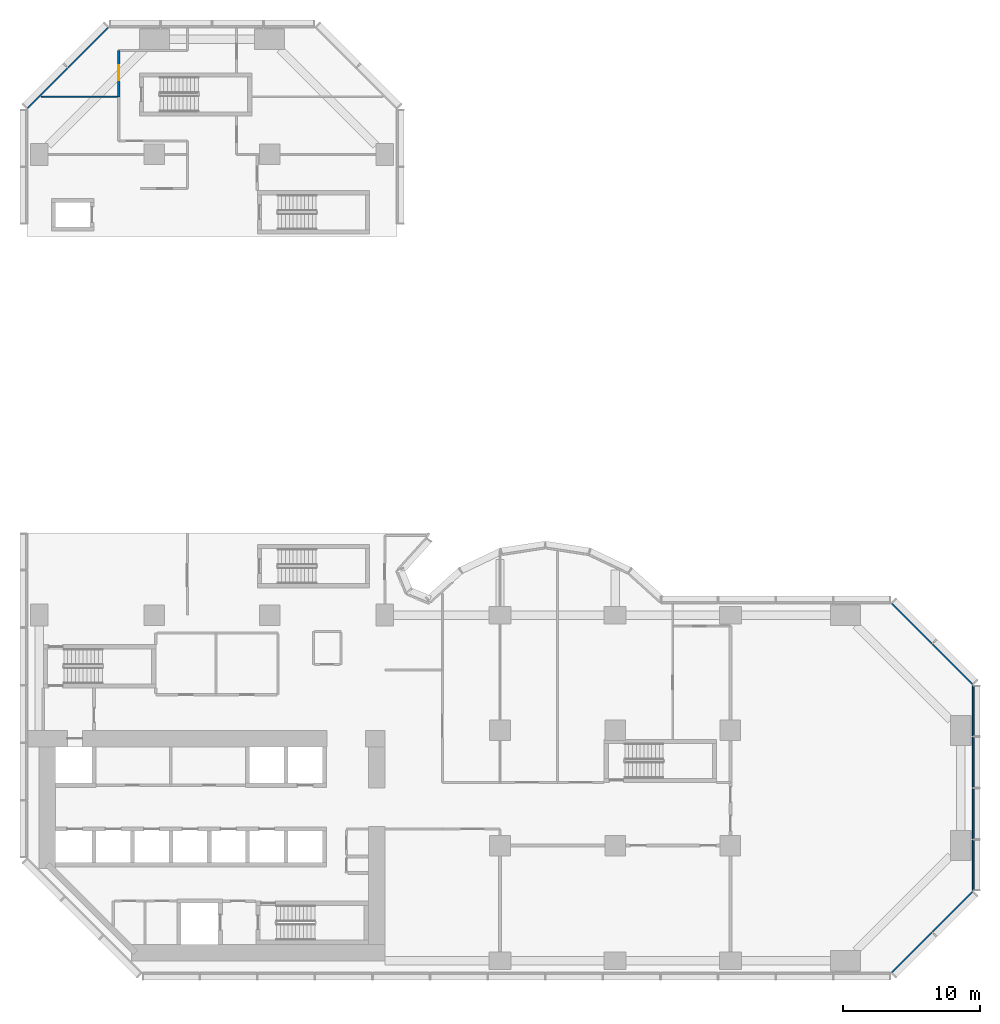
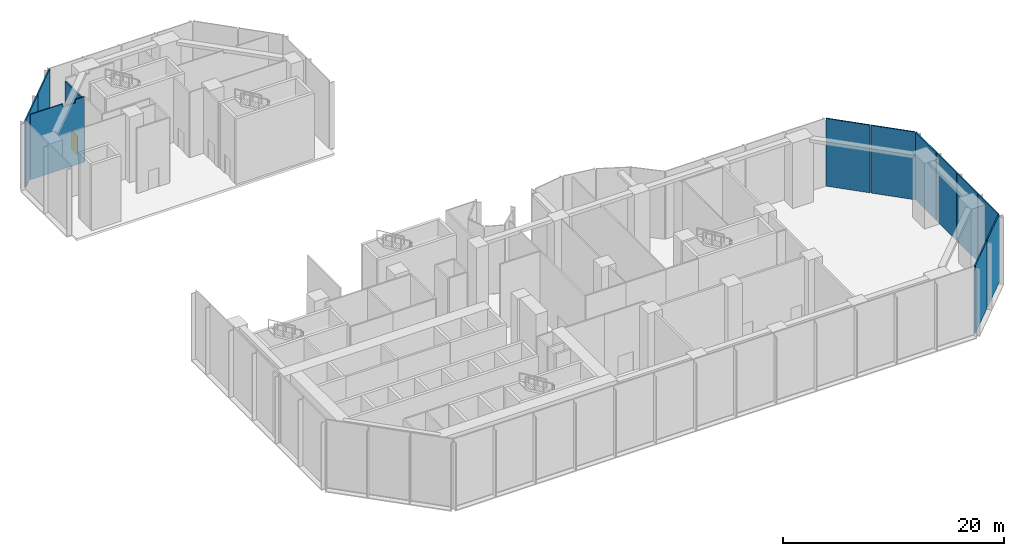
# One storey, part 11 of 16: 12 walls, 1 door, 1 opening.
"""IFC4 building model written with IfcOpenShell, lengths in metres."""

import ifcopenshell
import ifcopenshell.guid

model = None  # the IFC model being written
_history = None  # IfcOwnerHistory: only IFC2X3 demands one
_inside = {}  # id of a spatial element -> (the spatial element, [elements in it])
_under = {}  # id of a project, library or spatial element -> (it, [spatial elements below it])
_declared = {}  # id of a project -> (the project, [libraries it declares])
_typed = {}  # id of a type object -> (the type object, [elements of that type])
_made_of = {}  # id of a material, layer set ... -> (it, [elements and type objects made of it])


def new_model(schema):
    """Start an empty IFC model of exactly this schema.

    Asked for "IFC4X3", IfcOpenShell would pick the latest addendum, in which some entities
    have other attributes; the version numbers below select the first issue.
    IFC2X3 requires an IfcOwnerHistory on every rooted entity: one is made here for all.
    """
    global model, _history
    if schema == "IFC4X3":
        model = ifcopenshell.file(schema_version=(4, 3, 0, 0))
    else:
        model = ifcopenshell.file(schema=schema)
    _inside.clear()
    _under.clear()
    _declared.clear()
    _typed.clear()
    _made_of.clear()
    _history = None
    if model.schema == "IFC2X3":
        org = make("IfcOrganization", Name="unknown")
        user = make(
            "IfcPersonAndOrganization",
            ThePerson=make("IfcPerson", FamilyName="unknown"),
            TheOrganization=org,
        )
        app = make(
            "IfcApplication",
            ApplicationDeveloper=org,
            Version="unknown",
            ApplicationFullName="unknown",
            ApplicationIdentifier="unknown",
        )
        _history = make(
            "IfcOwnerHistory",
            OwningUser=user,
            OwningApplication=app,
            ChangeAction="ADDED",
            CreationDate=0,
        )
    return model


def make(cls, **values):
    """One entity of the class cls with the attributes given. An attribute that is None is left unset."""
    return model.create_entity(
        cls, **{name: value for name, value in values.items() if value is not None}
    )


def rooted(cls, **values):
    """An entity with a GlobalId (a new one), such as an element, a storey or a relation."""
    return make(cls, GlobalId=ifcopenshell.guid.new(), OwnerHistory=_history, **values)


def si_unit(unit_type, name, prefix=None):
    """IfcSIUnit, for example si_unit("LENGTHUNIT", "METRE", prefix="MILLI")."""
    return make("IfcSIUnit", UnitType=unit_type, Prefix=prefix, Name=name)


def assignment(units):
    """IfcUnitAssignment: the units of a project."""
    return None if units is None else make("IfcUnitAssignment", Units=units)


def point(xyz):
    """IfcCartesianPoint."""
    return None if xyz is None else make("IfcCartesianPoint", Coordinates=xyz)


def direction(xyz):
    """IfcDirection."""
    return None if xyz is None else make("IfcDirection", DirectionRatios=xyz)


def frame(location, z_axis=None, x_axis=None):
    """IfcAxis2Placement3D, a coordinate frame: its origin and axes. An axis left out is left unset."""
    return make(
        "IfcAxis2Placement3D",
        Location=point(location),
        Axis=direction(z_axis),
        RefDirection=direction(x_axis),
    )


def frame_2d(location, x_axis=None):
    """IfcAxis2Placement2D, a coordinate frame in the plane: its origin and x axis."""
    return make(
        "IfcAxis2Placement2D", Location=point(location), RefDirection=direction(x_axis)
    )


def origin():
    """The frame at (0, 0, 0) with its axes left unset."""
    return frame((0.0, 0.0, 0.0))


def place(relative_to, where):
    """IfcLocalPlacement: puts the frame where relative to a parent placement (None: the world)."""
    return make(
        "IfcLocalPlacement", PlacementRelTo=relative_to, RelativePlacement=where
    )


def context(
    kind, dimensions, precision=None, world=None, true_north=None, identifier=None
):
    """IfcGeometricRepresentationContext, for example the 3D "Model" context."""
    return make(
        "IfcGeometricRepresentationContext",
        ContextIdentifier=identifier,
        ContextType=kind,
        CoordinateSpaceDimension=dimensions,
        Precision=precision,
        WorldCoordinateSystem=world,
        TrueNorth=true_north,
    )


def subcontext(parent, identifier, kind, view, scale=None):
    """IfcGeometricRepresentationSubContext, for example "Body" below "Model"."""
    return make(
        "IfcGeometricRepresentationSubContext",
        ContextIdentifier=identifier,
        ContextType=kind,
        ParentContext=parent,
        TargetScale=scale,
        TargetView=view,
    )


def project(units=None, contexts=None):
    """IfcProject with its units and contexts."""
    return rooted(
        "IfcProject",
        Name="project",
        RepresentationContexts=contexts,
        UnitsInContext=assignment(units),
    )


def spatial(cls, under=None, at=None, **own):
    """A site, building, storey or space (cls), placed at a placement, below another one or the project."""
    s = rooted(cls, ObjectPlacement=at, **own)
    if under is not None:
        _under.setdefault(under.id(), (under, []))[1].append(s)
    return s


def polyline(points):
    """IfcPolyline through the points."""
    return make("IfcPolyline", Points=[point(p) for p in points])


def profile(cls, at=None, kind="AREA", **sizes):
    """A parametric profile (cls). Its sizes go by their IFC names, for example OverallWidth=200.0."""
    return make(cls, ProfileType=kind, Position=at, **sizes)


def rectangle(**sizes):
    """IfcRectangleProfileDef."""
    return profile("IfcRectangleProfileDef", **sizes)


def outline(outer, holes=None, kind="AREA"):
    """IfcArbitraryClosedProfileDef: a profile drawn as a closed curve; with holes, ...WithVoids."""
    if holes is None:
        return make("IfcArbitraryClosedProfileDef", ProfileType=kind, OuterCurve=outer)
    return make(
        "IfcArbitraryProfileDefWithVoids",
        ProfileType=kind,
        OuterCurve=outer,
        InnerCurves=holes,
    )


def extrude(swept, where, along, depth):
    """IfcExtrudedAreaSolid: the profile swept, set in the frame where, extruded along a direction by depth."""
    return make(
        "IfcExtrudedAreaSolid",
        SweptArea=swept,
        Position=where,
        ExtrudedDirection=direction(along),
        Depth=depth,
    )


def shape(context_of_items, identifier, shape_type, items):
    """IfcShapeRepresentation: the items that make up one representation, for example the "Body"."""
    return make(
        "IfcShapeRepresentation",
        ContextOfItems=context_of_items,
        RepresentationIdentifier=identifier,
        RepresentationType=shape_type,
        Items=items,
    )


def material(Name=None, Category=None):
    """IfcMaterial."""
    return make("IfcMaterial", Name=Name, Category=Category)


def layer(
    of_material, thickness, ventilated=None, Name=None, Category=None, Priority=None
):
    """IfcMaterialLayer: one layer of a wall or slab, of a material (None: an air gap)."""
    return make(
        "IfcMaterialLayer",
        Material=of_material,
        LayerThickness=thickness,
        IsVentilated=ventilated,
        Name=Name,
        Category=Category,
        Priority=Priority,
    )


def layer_set(layers, Name=None):
    """IfcMaterialLayerSet."""
    return make("IfcMaterialLayerSet", MaterialLayers=layers, LayerSetName=Name)


def made_of(thing, what):
    """Note that an element or type object is made of a material, layer set ...; save() writes the relation."""
    if what is not None:
        _made_of.setdefault(what.id(), (what, []))[1].append(thing)
    return thing


def type_object(cls, material=None, **own):
    """A type object (cls), such as IfcWallType, which elements share."""
    return made_of(rooted(cls, **own), material)


def element(
    cls,
    number,
    at=None,
    inside=None,
    cuts=None,
    type_object=None,
    material=None,
    context=None,
    identifier="Body",
    shape_type=None,
    held_by="IfcProductDefinitionShape",
    body=None,
    shapes=None,
    **own,
):
    """One element of the class cls, such as IfcWall. Its Tag is "e" and its number.

    at: its placement. inside: the storey or other place that contains it. cuts: it is an
    opening in that element (IfcRelVoidsElement). A single representation is given by context,
    identifier, shape_type and body (its items); several are given by shapes. held_by: the class
    of the entity that holds the representations. save() writes the other relations.
    """
    e = rooted(cls, Tag="e%d" % number, ObjectPlacement=at, **own)
    if body is not None:
        shapes = [shape(context, identifier, shape_type, body)]
    if shapes is not None:
        e.Representation = make(held_by, Representations=shapes)
    if inside is not None:
        _inside.setdefault(inside.id(), (inside, []))[1].append(e)
    if cuts is not None:
        rooted(
            "IfcRelVoidsElement", RelatingBuildingElement=cuts, RelatedOpeningElement=e
        )
    if type_object is not None:
        _typed.setdefault(type_object.id(), (type_object, []))[1].append(e)
    return made_of(e, material)


def fill(opening, filler):
    """IfcRelFillsElement: the door or window that sits in an opening."""
    return rooted(
        "IfcRelFillsElement",
        RelatingOpeningElement=opening,
        RelatedBuildingElement=filler,
    )


def aggregate(whole, parts):
    """IfcRelAggregates: a whole, such as a stair, and the parts it consists of."""
    return rooted("IfcRelAggregates", RelatingObject=whole, RelatedObjects=parts)


def save(model, path):
    """Write the relations noted so far, then the file.

    IfcRelAggregates (storeys below a building ...), IfcRelContainedInSpatialStructure (elements
    in a storey), IfcRelDefinesByType, IfcRelAssociatesMaterial and IfcRelDeclares: one each for
    every whole, place, type object, material and project.
    """
    for whole, parts in _under.values():
        aggregate(whole, parts)
    for where, things in _inside.values():
        rooted(
            "IfcRelContainedInSpatialStructure",
            RelatedElements=things,
            RelatingStructure=where,
        )
    for kind, things in _typed.values():
        rooted("IfcRelDefinesByType", RelatedObjects=things, RelatingType=kind)
    for what, things in _made_of.values():
        rooted("IfcRelAssociatesMaterial", RelatedObjects=things, RelatingMaterial=what)
    for by, libraries in _declared.values():
        rooted("IfcRelDeclares", RelatingContext=by, RelatedDefinitions=libraries)
    model.write(path)


model = new_model("IFC4")

# Units and contexts
model_context = context("Model", 3, precision=1e-05, world=origin(), true_north=direction((0.0, 1.0)))
body_context = subcontext(model_context, "Body", "Model", "MODEL_VIEW")
ifc_project = project(units=[si_unit("LENGTHUNIT", "METRE"), si_unit("AREAUNIT", "SQUARE_METRE"), si_unit("VOLUMEUNIT", "CUBIC_METRE"), si_unit("PLANEANGLEUNIT", "RADIAN"), si_unit("MASSUNIT", "GRAM", prefix="KILO")], contexts=[model_context])

# Site, building, storey
site_placement = place(None, origin())
site = spatial("IfcSite", under=ifc_project, at=site_placement, CompositionType="ELEMENT")
building_placement = place(site_placement, origin())
building = spatial("IfcBuilding", under=site, at=building_placement, Name="Brevane Broadcast Tower", CompositionType="ELEMENT")
storey_placement = place(building_placement, frame((0.0, 0.0, 12.5)))
storey = spatial("IfcBuildingStorey", under=building, at=storey_placement, Name="L02", CompositionType="ELEMENT", Elevation=12.5)

# Wall
ifc_material_1 = material(Name="Gypsum board partition")
ifc_layer_1 = layer(ifc_material_1, 0.10009765625)
ifc_layer_set_1 = layer_set([ifc_layer_1], Name="PARTITION 100 STUD")
wall_type_1 = type_object("IfcWallType", Name="PARTITION 100 STUD", PredefinedType="PARTITIONING", material=ifc_layer_set_1)
wall_1_placement = place(storey_placement, frame((0.144287109375, 63.0, 0.0), z_axis=(0.0, 0.0, 1.0), x_axis=(1.0, 0.0, 0.0)))
element("IfcWall", 1, at=wall_1_placement, inside=storey, type_object=wall_type_1, Name="Partition P2-040", PredefinedType="PARTITIONING", context=body_context, shape_type="SweptSolid", body=[
    extrude(outline(polyline([(0.0, 0.0), (5.65576171875, 0.0), (5.65576171875, 7.22998046875), (4.721435546875, 7.22998046875), (4.719482421875, 6.8798828125), (3.39208984375, 6.8798828125), (3.39013671875, 7.22998046875), (0.0, 7.22998046875), (0.0, 0.0)])), frame((0.0, 0.050048828125, 0.0), z_axis=(0.0, -1.0, 0.0), x_axis=(1.0, 0.0, 0.0)), (0.0, 0.0, 1.0), 0.10009765625),
])

# Wall, opening, door
ifc_layer_2 = layer(ifc_material_1, 0.14990234375)
ifc_layer_set_2 = layer_set([ifc_layer_2], Name="PARTITION 150 EI 60")
wall_type_2 = type_object("IfcWallType", Name="PARTITION 150 EI 60", PredefinedType="PARTITIONING", material=ifc_layer_set_2)
wall_2_placement = place(storey_placement, frame((5.800048828125, 63.0, 0.0), z_axis=(0.0, 0.0, 1.0), x_axis=(0.0, 1.0, 0.0)))
wall_2 = element("IfcWall", 2, at=wall_2_placement, inside=storey, type_object=wall_type_2, Name="Partition P2-033", PredefinedType="PARTITIONING", context=body_context, shape_type="SweptSolid", body=[
    extrude(rectangle(XDim=3.375, YDim=0.14990234375, at=frame_2d((1.6875, 0.0))), origin(), (0.0, 0.0, 1.0), 6.8798828125),
])
opening_placement = place(wall_2_placement, frame((1.199951171875, 0.0, 0.0)))
opening = element("IfcOpeningElement", 3, at=opening_placement, cuts=wall_2, Name="Opening D03-013", PredefinedType="OPENING", context=body_context, shape_type="SweptSolid", body=[
    extrude(rectangle(XDim=1.10009765625, YDim=2.10009765625, at=frame_2d((0.550048828125, 1.050048828125))), frame((0.0, 0.0849609375, 0.0), z_axis=(0.0, -1.0, 0.0), x_axis=(1.0, 0.0, 0.0)), (0.0, 0.0, 1.0), 0.169921875),
])
ifc_material_2 = material(Name="Fire-rated timber door leaf", Category="wood")
door_type = type_object("IfcDoorType", Name="DOOR SINGLE 1100 FD30S", OperationType="SINGLE_SWING_LEFT", PredefinedType="DOOR", material=ifc_material_2)
door_placement = place(opening_placement, origin())
door = element("IfcDoor", 4, at=door_placement, inside=storey, type_object=door_type, Name="Door D03-013", OperationType="SINGLE_SWING_LEFT", OverallHeight=2.10009765625, OverallWidth=1.10009765625, PredefinedType="DOOR", context=body_context, shape_type="SweptSolid", body=[
    extrude(rectangle(XDim=1.10009765625, YDim=2.10009765625, at=frame_2d((0.550048828125, 1.050048828125))), frame((0.0, 0.02490234375, 0.0), z_axis=(0.0, -1.0, 0.0), x_axis=(1.0, 0.0, 0.0)), (0.0, 0.0, 1.0), 0.050048828125),
])
fill(opening, door)

# Walls
ifc_material_3 = material(Name="Precast concrete C40/50", Category="concrete")
ifc_layer_3 = layer(ifc_material_3, 0.1201171875)
ifc_layer_set_3 = layer_set([ifc_layer_3], Name="Podium precast cladding wall 120 C40/50")
wall_type_3 = type_object("IfcWallType", Name="Podium precast cladding wall 120 C40/50", PredefinedType="SOLIDWALL", material=ifc_layer_set_3)
wall_3_placement = place(storey_placement, origin())
element("IfcWall", 5, at=wall_3_placement, inside=storey, type_object=wall_type_3, Name="Podium precast cladding wall", PredefinedType="SOLIDWALL", context=body_context, shape_type="SweptSolid", body=[
    extrude(outline(polyline([(62.096435546875, -0.832763671875), (65.03271484375, 2.103515625), (65.11767578125, 2.018798828125), (62.181396484375, -0.917724609375), (62.096435546875, -0.832763671875)])), origin(), (0.0, 0.0, 1.0), 7.5),
])
wall_4_placement = place(storey_placement, origin())
element("IfcWall", 6, at=wall_4_placement, inside=storey, type_object=wall_type_3, Name="Podium precast cladding wall", PredefinedType="SOLIDWALL", context=body_context, shape_type="SweptSolid", body=[
    extrude(outline(polyline([(65.096435546875, 2.167236328125), (68.03271484375, 5.103515625), (68.11767578125, 5.018798828125), (65.181396484375, 2.082275390625), (65.096435546875, 2.167236328125)])), origin(), (0.0, 0.0, 1.0), 7.5),
])
wall_5_placement = place(storey_placement, origin())
element("IfcWall", 7, at=wall_5_placement, inside=storey, type_object=wall_type_3, Name="Podium precast cladding wall", PredefinedType="SOLIDWALL", context=body_context, shape_type="SweptSolid", body=[
    extrude(outline(polyline([(68.169921875, 8.804931640625), (68.050048828125, 8.804931640625), (68.050048828125, 5.14501953125), (68.169921875, 5.14501953125), (68.169921875, 8.804931640625)])), origin(), (0.0, 0.0, 1.0), 7.5),
])
wall_6_placement = place(storey_placement, origin())
element("IfcWall", 8, at=wall_6_placement, inside=storey, type_object=wall_type_3, Name="Podium precast cladding wall", PredefinedType="SOLIDWALL", context=body_context, shape_type="SweptSolid", body=[
    extrude(outline(polyline([(68.169921875, 12.554931640625), (68.050048828125, 12.554931640625), (68.050048828125, 8.89501953125), (68.169921875, 8.89501953125), (68.169921875, 12.554931640625)])), origin(), (0.0, 0.0, 1.0), 7.5),
])
wall_7_placement = place(storey_placement, origin())
element("IfcWall", 9, at=wall_7_placement, inside=storey, type_object=wall_type_3, Name="Podium precast cladding wall", PredefinedType="SOLIDWALL", context=body_context, shape_type="SweptSolid", body=[
    extrude(outline(polyline([(68.169921875, 16.304931640625), (68.050048828125, 16.304931640625), (68.050048828125, 12.64501953125), (68.169921875, 12.64501953125), (68.169921875, 16.304931640625)])), origin(), (0.0, 0.0, 1.0), 7.5),
])
wall_8_placement = place(storey_placement, origin())
element("IfcWall", 10, at=wall_8_placement, inside=storey, type_object=wall_type_3, Name="Podium precast cladding wall", PredefinedType="SOLIDWALL", context=body_context, shape_type="SweptSolid", body=[
    extrude(outline(polyline([(68.169921875, 20.054931640625), (68.050048828125, 20.054931640625), (68.050048828125, 16.39501953125), (68.169921875, 16.39501953125), (68.169921875, 20.054931640625)])), origin(), (0.0, 0.0, 1.0), 7.5),
])
wall_9_placement = place(storey_placement, origin())
element("IfcWall", 11, at=wall_9_placement, inside=storey, type_object=wall_type_3, Name="Podium precast cladding wall", PredefinedType="SOLIDWALL", context=body_context, shape_type="SweptSolid", body=[
    extrude(outline(polyline([(68.03271484375, 20.096435546875), (65.096435546875, 23.03271484375), (65.181396484375, 23.11767578125), (68.11767578125, 20.181396484375), (68.03271484375, 20.096435546875)])), origin(), (0.0, 0.0, 1.0), 7.5),
])
wall_10_placement = place(storey_placement, origin())
element("IfcWall", 12, at=wall_10_placement, inside=storey, type_object=wall_type_3, Name="Podium precast cladding wall", PredefinedType="SOLIDWALL", context=body_context, shape_type="SweptSolid", body=[
    extrude(outline(polyline([(65.03271484375, 23.096435546875), (62.096435546875, 26.03271484375), (62.181396484375, 26.11767578125), (65.11767578125, 23.181396484375), (65.03271484375, 23.096435546875)])), origin(), (0.0, 0.0, 1.0), 7.5),
])
wall_11_placement = place(storey_placement, origin())
element("IfcWall", 13, at=wall_11_placement, inside=storey, type_object=wall_type_3, Name="Podium precast cladding wall", PredefinedType="SOLIDWALL", context=body_context, shape_type="SweptSolid", body=[
    extrude(outline(polyline([(5.103515625, 68.03271484375), (2.167236328125, 65.096435546875), (2.082275390625, 65.181396484375), (5.018798828125, 68.11767578125), (5.103515625, 68.03271484375)])), origin(), (0.0, 0.0, 1.0), 7.5),
])
wall_12_placement = place(storey_placement, origin())
element("IfcWall", 14, at=wall_12_placement, inside=storey, type_object=wall_type_3, Name="Podium precast cladding wall", PredefinedType="SOLIDWALL", context=body_context, shape_type="SweptSolid", body=[
    extrude(outline(polyline([(2.103515625, 65.03271484375), (-0.832763671875, 62.096435546875), (-0.917724609375, 62.181396484375), (2.018798828125, 65.11767578125), (2.103515625, 65.03271484375)])), origin(), (0.0, 0.0, 1.0), 7.5),
])

save(model, "model.ifc")
